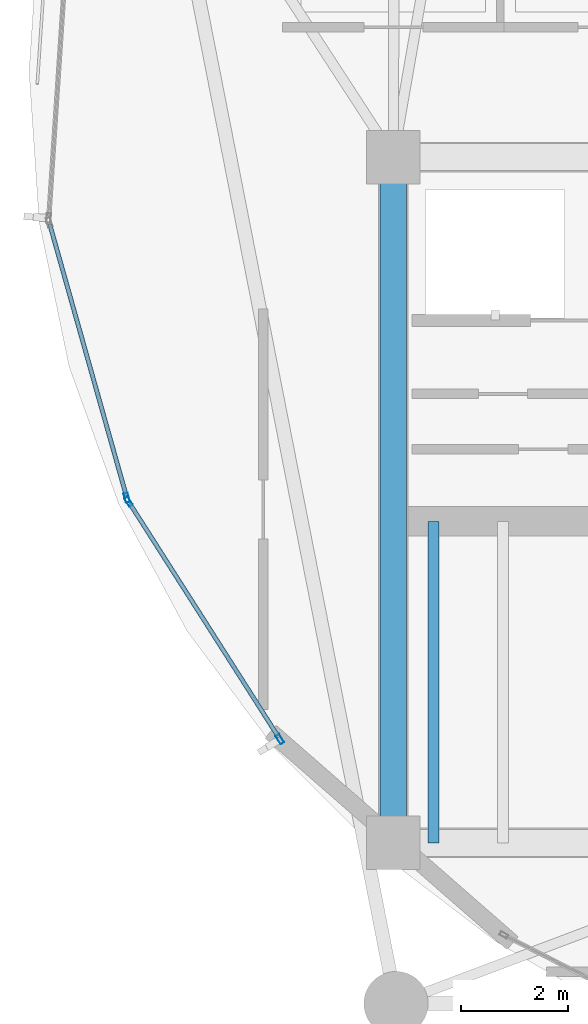
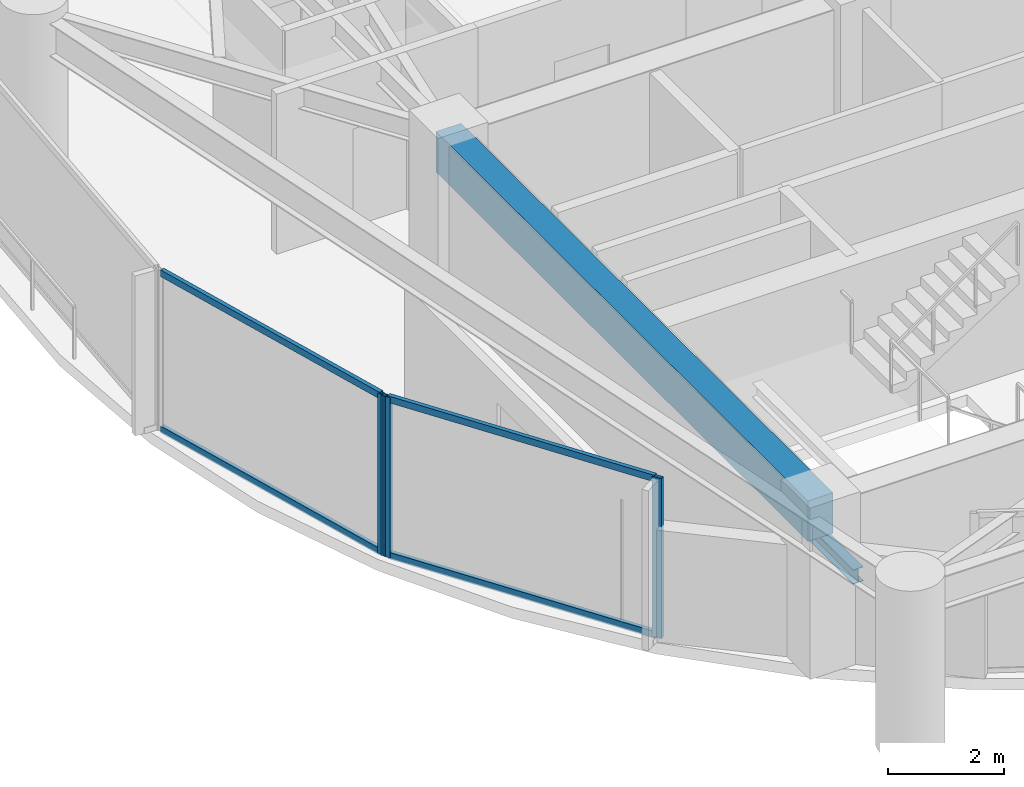
# One storey, part 3 of 30: 7 members, 2 beams, 2 elements without a shape of their own.
"""IFC4 building model written with IfcOpenShell, lengths in metres."""

from ifc_helpers import new_model, si_unit, direction, frame, origin, origin_2d, place, context, subcontext, project, spatial, rectangle, hollow_rectangle, i_section, extrude, material, layer, layer_set, material_profile, profile_set, type_object, element, aggregate, save


model = new_model("IFC4")

# Units and contexts
model_context = context("Model", 3, precision=1e-05, world=origin(), true_north=direction((0.0, 1.0)))
body_context = subcontext(model_context, "Body", "Model", "MODEL_VIEW")
ifc_project = project(units=[si_unit("LENGTHUNIT", "METRE"), si_unit("AREAUNIT", "SQUARE_METRE"), si_unit("VOLUMEUNIT", "CUBIC_METRE"), si_unit("PLANEANGLEUNIT", "RADIAN"), si_unit("MASSUNIT", "GRAM", prefix="KILO")], contexts=[model_context])

# Site, building, storey
site_placement = place(None, origin())
site = spatial("IfcSite", under=ifc_project, at=site_placement, CompositionType="ELEMENT")
building_placement = place(site_placement, origin())
building = spatial("IfcBuilding", under=site, at=building_placement, Name="Kazevale Care Tower and Concert Hall", CompositionType="ELEMENT")
storey_placement = place(building_placement, frame((0.0, 0.0, 113.39990234375)))
storey = spatial("IfcBuildingStorey", under=building, at=storey_placement, Name="L29", CompositionType="ELEMENT", Elevation=113.39990234375)

# Curtain wall, members
ifc_material_1 = material(Name="Aluminium 6063-T6 and Low-E Glass", Category="aluminium")
ifc_layer = layer(ifc_material_1, 0.179931640625)
ifc_layer_set = layer_set([ifc_layer], Name="Aluminium 6063-T6 and Low-E Glass")
curtain_wall_type = type_object("IfcCurtainWallType", Name="Waist & Upper Residential Curtain Wall CW-4", PredefinedType="NOTDEFINED", material=ifc_layer_set)
curtain_wall_1_placement = place(storey_placement, origin())
curtain_wall_1 = element("IfcCurtainWall", 1, at=curtain_wall_1_placement, inside=storey, type_object=curtain_wall_type, Name="cw:L29:f11", PredefinedType="NOTDEFINED")
ifc_material_2 = material(Name="Aluminium 6063-T6", Category="aluminium")
ifc_material_profile_1 = material_profile(ifc_material_2, hollow_rectangle(XDim=0.080078125, YDim=0.179931640625, WallThickness=0.0048828125, at=origin_2d()), Name="ALU80x180x5")
ifc_profile_set_1 = profile_set([ifc_material_profile_1], Name="Aluminium 6063-T6")
member_type_1 = type_object("IfcMemberType", Name="CW-4 Mullion ALU80x180x5", PredefinedType="MULLION", material=ifc_profile_set_1)
member_1_placement = place(storey_placement, frame((19.882568359375, 25.53564453125, 0.0), z_axis=(0.0, 0.0, 1.0), x_axis=(-0.843429930967, -0.537239193981, 0.0)))
member_1 = element("IfcMember", 2, at=member_1_placement, type_object=member_type_1, Name="CW-4 mullion 1", PredefinedType="MULLION", context=body_context, shape_type="SweptSolid", body=[
    extrude(hollow_rectangle(XDim=0.080078125, YDim=0.179931640625, WallThickness=0.0048828125, at=origin_2d()), origin(), (0.0, 0.0, 1.0), 3.360107421875),
])
member_2_placement = place(storey_placement, frame((17.05859375, 29.96923828125, 0.0), z_axis=(0.0, 0.0, 1.0), x_axis=(-0.843429930967, -0.537239193981, 0.0)))
member_2 = element("IfcMember", 3, at=member_2_placement, type_object=member_type_1, Name="CW-4 mullion 2", PredefinedType="MULLION", context=body_context, shape_type="SweptSolid", body=[
    extrude(hollow_rectangle(XDim=0.080078125, YDim=0.179931640625, WallThickness=0.0048828125, at=origin_2d()), origin(), (0.0, 0.0, 1.0), 3.360107421875),
])

# Curtain wall, member
curtain_wall_2_placement = place(storey_placement, origin())
curtain_wall_2 = element("IfcCurtainWall", 4, at=curtain_wall_2_placement, inside=storey, type_object=curtain_wall_type, Name="cw:L29:f12", PredefinedType="NOTDEFINED")
member_3_placement = place(storey_placement, frame((17.026123046875, 30.04150390625, 0.0), z_axis=(0.0, 0.0, 1.0), x_axis=(-0.962499078876, -0.271284948278, 0.0)))
member_3 = element("IfcMember", 5, at=member_3_placement, type_object=member_type_1, Name="CW-4 mullion 1", PredefinedType="MULLION", context=body_context, shape_type="SweptSolid", body=[
    extrude(hollow_rectangle(XDim=0.080078125, YDim=0.179931640625, WallThickness=0.0048828125, at=origin_2d()), origin(), (0.0, 0.0, 1.0), 3.360107421875),
])

# Member
ifc_material_profile_2 = material_profile(ifc_material_2, hollow_rectangle(XDim=0.080078125, YDim=0.139892578125, WallThickness=0.00390625, at=origin_2d()), Name="ALU80x140x4")
ifc_profile_set_2 = profile_set([ifc_material_profile_2], Name="Aluminium 6063-T6")
member_type_2 = type_object("IfcMemberType", Name="CW-4 Transom ALU80x140x4", PredefinedType="USERDEFINED", material=ifc_profile_set_2)
member_4_placement = place(storey_placement, frame((19.861083984375, 25.569580078125, 0.0400390625), z_axis=(-0.537241653837, 0.843428364109, 0.0), x_axis=(-0.843428364109, -0.537241653837, 0.0)))
member_4 = element("IfcMember", 6, at=member_4_placement, type_object=member_type_2, Name="CW-4 transom 1.1", ObjectType="TRANSOM", PredefinedType="USERDEFINED", context=body_context, shape_type="SweptSolid", body=[
    extrude(hollow_rectangle(XDim=0.080078125, YDim=0.139892578125, WallThickness=0.00390625, at=origin_2d()), origin(), (0.0, 0.0, 1.0), 5.176513671875),
])

member_5_placement = place(storey_placement, frame((19.861083984375, 25.569580078125, 3.320068359375), z_axis=(-0.537241653837, 0.843428364109, 0.0), x_axis=(-0.843428364109, -0.537241653837, 0.0)))
member_5 = element("IfcMember", 7, at=member_5_placement, type_object=member_type_2, Name="CW-4 transom 1.2", ObjectType="TRANSOM", PredefinedType="USERDEFINED", context=body_context, shape_type="SweptSolid", body=[
    extrude(hollow_rectangle(XDim=0.080078125, YDim=0.139892578125, WallThickness=0.00390625, at=origin_2d()), origin(), (0.0, 0.0, 1.0), 5.176513671875),
])

aggregate(curtain_wall_1, [member_1, member_2, member_4, member_5])

member_6_placement = place(storey_placement, frame((17.015380859375, 30.080078125, 0.0400390625), z_axis=(-0.271312503244, 0.962491311952, 0.0), x_axis=(-0.962491311952, -0.271312503244, 0.0)))
member_6 = element("IfcMember", 8, at=member_6_placement, type_object=member_type_2, Name="CW-4 transom 1.1", ObjectType="TRANSOM", PredefinedType="USERDEFINED", context=body_context, shape_type="SweptSolid", body=[
    extrude(hollow_rectangle(XDim=0.080078125, YDim=0.139892578125, WallThickness=0.00390625, at=origin_2d()), origin(), (0.0, 0.0, 1.0), 5.26220703125),
])

member_7_placement = place(storey_placement, frame((17.015380859375, 30.080078125, 3.320068359375), z_axis=(-0.271312503244, 0.962491311952, 0.0), x_axis=(-0.962491311952, -0.271312503244, 0.0)))
member_7 = element("IfcMember", 9, at=member_7_placement, type_object=member_type_2, Name="CW-4 transom 1.2", ObjectType="TRANSOM", PredefinedType="USERDEFINED", context=body_context, shape_type="SweptSolid", body=[
    extrude(hollow_rectangle(XDim=0.080078125, YDim=0.139892578125, WallThickness=0.00390625, at=origin_2d()), origin(), (0.0, 0.0, 1.0), 5.26220703125),
])

aggregate(curtain_wall_2, [member_3, member_6, member_7])

# Beams
ifc_material_3 = material(Name="Concrete C60", Category="concrete")
ifc_material_profile_3 = material_profile(ifc_material_3, rectangle(XDim=0.5, YDim=0.85009765625, at=origin_2d()), Name="RC-B500x850")
ifc_profile_set_3 = profile_set([ifc_material_profile_3], Name="Concrete C60")
beam_type_1 = type_object("IfcBeamType", Name="Core Coupling Beam RC500x850", PredefinedType="LINTEL", material=ifc_profile_set_3)
beam_1_placement = place(storey_placement, frame((22.0, 36.39990234375, 2.93505859375), z_axis=(0.0, -1.0, 0.0), x_axis=(1.0, 0.0, 0.0)))
element("IfcBeam", 10, at=beam_1_placement, inside=storey, type_object=beam_type_1, Name="beam:L29:coretie:8", PredefinedType="LINTEL", context=body_context, shape_type="SweptSolid", body=[
    extrude(rectangle(XDim=0.5, YDim=0.85009765625, at=origin_2d()), origin(), (0.0, 0.0, 1.0), 12.7998046875),
])
ifc_material_4 = material(Name="Steel ASTM A572 Gr 50", Category="steel")
ifc_material_profile_4 = material_profile(ifc_material_4, i_section(OverallWidth=0.202880859375, OverallDepth=0.302978515625, WebThickness=0.007568359375, FlangeThickness=0.01318359375, at=origin_2d()), Name="W310x60")
ifc_profile_set_4 = profile_set([ifc_material_profile_4], Name="Steel ASTM A572 Gr 50")
beam_type_2 = type_object("IfcBeamType", Name="Stair & Balcony Trimmer W310x60", PredefinedType="BEAM", material=ifc_profile_set_4)
beam_2_placement = place(storey_placement, frame((22.75, 23.60009765625, 1.448486328125), z_axis=(0.0, 1.0, 0.0), x_axis=(-1.0, 0.0, 0.0)))
element("IfcBeam", 11, at=beam_2_placement, inside=storey, type_object=beam_type_2, Name="beam:L29:sttrim:ST1", PredefinedType="BEAM", context=body_context, shape_type="SweptSolid", body=[
    extrude(i_section(OverallWidth=0.202880859375, OverallDepth=0.302978515625, WebThickness=0.007568359375, FlangeThickness=0.01318359375, at=origin_2d()), origin(), (0.0, 0.0, 1.0), 6.0),
])

save(model, "model.ifc")
